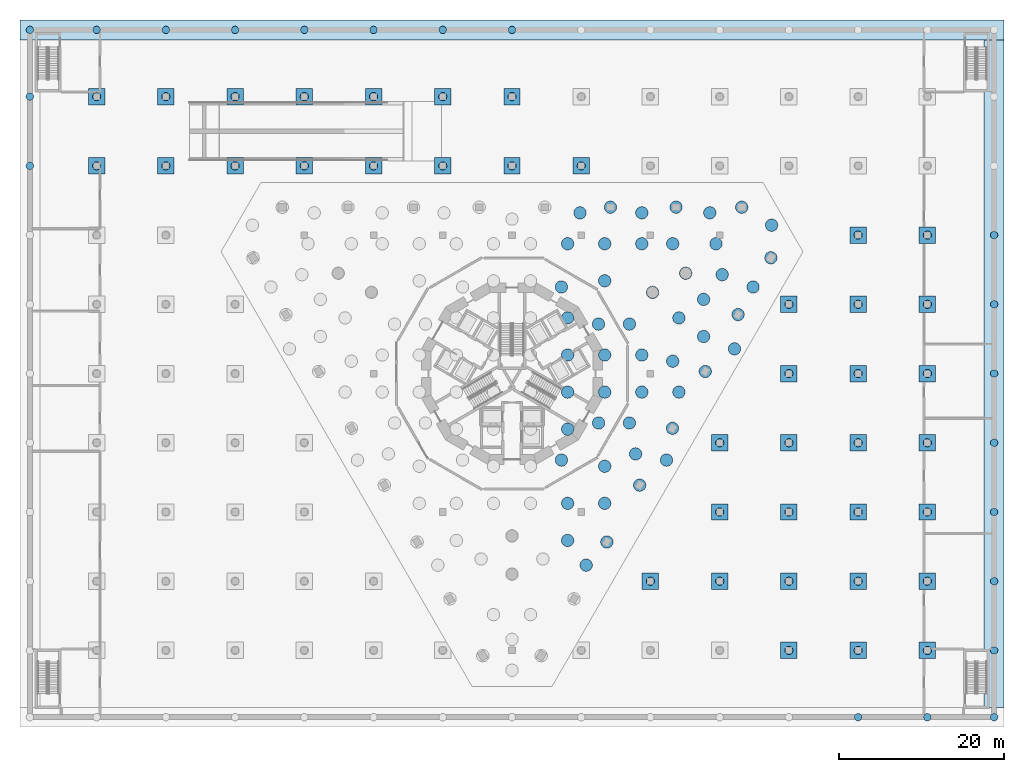
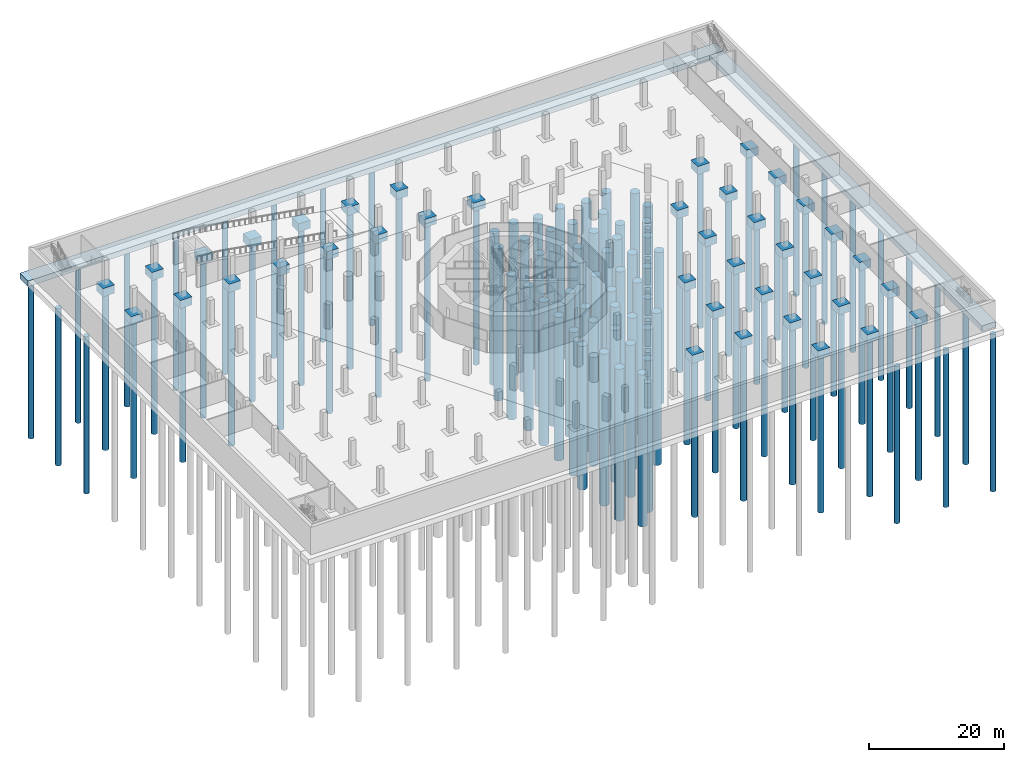
# One storey, part 2 of 23: 109 piles, 41 footings.
"""IFC4 building model written with IfcOpenShell, lengths in metres."""

from ifc_helpers import new_model, si_unit, direction, frame, origin, origin_2d, place, context, subcontext, project, spatial, polyline, circle, outline, extrude, material, layer, layer_set, type_object, element, save


model = new_model("IFC4")

# Units and contexts
model_context = context("Model", 3, precision=1e-05, world=origin(), true_north=direction((0.0, 1.0)))
body_context = subcontext(model_context, "Body", "Model", "MODEL_VIEW")
ifc_project = project(units=[si_unit("LENGTHUNIT", "METRE"), si_unit("AREAUNIT", "SQUARE_METRE"), si_unit("VOLUMEUNIT", "CUBIC_METRE"), si_unit("PLANEANGLEUNIT", "RADIAN"), si_unit("MASSUNIT", "GRAM", prefix="KILO")], contexts=[model_context])

# Site, building, storey
site_placement = place(None, origin())
site = spatial("IfcSite", under=ifc_project, at=site_placement, CompositionType="ELEMENT")
building_placement = place(site_placement, origin())
building = spatial("IfcBuilding", under=site, at=building_placement, Name="Trine Commons Tower", CompositionType="ELEMENT")
storey_placement = place(building_placement, frame((0.0, 0.0, -9.0)))
storey = spatial("IfcBuildingStorey", under=building, at=storey_placement, Name="B2", CompositionType="ELEMENT", Elevation=-9.0)

# Piles
ifc_material_1 = material(Name="Concrete C40/50", Category="concrete")
pile_type_1 = type_object("IfcPileType", Name="Bored pile 1000 mm, C40/50", PredefinedType="BORED", material=ifc_material_1)
for number, where, z_axis, x_axis, name in (
    (1, (113.60009765625, 28.89990234375, -1.425048828125), (0.0, 0.0, -1.0), (1.0, 0.0, 0.0), "Pile 141"),
    (2, (122.0, 28.89990234375, -1.425048828125), (0.0, 0.0, -1.0), (1.0, 0.0, 0.0), "Pile 142"),
    (3, (130.39990234375, 28.89990234375, -1.425048828125), (0.0, 0.0, -1.0), (1.0, 0.0, 0.0), "Pile 143"),
    (4, (96.800048828125, 37.300048828125, -1.425048828125), (0.0, 0.0, -1.0), (1.0, 0.0, 0.0), "Pile 149"),
    (5, (105.199951171875, 37.300048828125, -1.425048828125), (0.0, 0.0, -1.0), (1.0, 0.0, 0.0), "Pile 150"),
    (6, (113.60009765625, 37.300048828125, -1.425048828125), (0.0, 0.0, -1.0), (1.0, 0.0, 0.0), "Pile 151"),
    (7, (122.0, 37.300048828125, -1.425048828125), (0.0, 0.0, -1.0), (1.0, 0.0, 0.0), "Pile 152"),
    (8, (130.39990234375, 37.300048828125, -1.425048828125), (0.0, 0.0, -1.0), (1.0, 0.0, 0.0), "Pile 153"),
    (9, (105.199951171875, 45.699951171875, -1.425048828125), (0.0, 0.0, -1.0), (1.0, 0.0, 0.0), "Pile 158"),
    (10, (113.60009765625, 45.699951171875, -1.425048828125), (0.0, 0.0, -1.0), (1.0, 0.0, 0.0), "Pile 159"),
    (11, (122.0, 45.699951171875, -1.425048828125), (0.0, 0.0, -1.0), (1.0, 0.0, 0.0), "Pile 160"),
    (12, (130.39990234375, 45.699951171875, -1.425048828125), (0.0, 0.0, -1.0), (1.0, 0.0, 0.0), "Pile 161"),
    (13, (105.199951171875, 54.10009765625, -1.425048828125), (0.0, 0.0, -1.0), (1.0, 0.0, 0.0), "Pile 166"),
    (14, (113.60009765625, 54.10009765625, -1.425048828125), (0.0, 0.0, -1.0), (1.0, 0.0, 0.0), "Pile 167"),
    (15, (122.0, 54.10009765625, -1.425048828125), (0.0, 0.0, -1.0), (1.0, 0.0, 0.0), "Pile 168"),
    (16, (130.39990234375, 54.10009765625, -1.425048828125), (0.0, 0.0, -1.0), (1.0, 0.0, 0.0), "Pile 169"),
    (17, (113.60009765625, 62.5, -1.425048828125), (0.0, 0.0, -1.0), (1.0, 0.0, 0.0), "Pile 173"),
    (18, (122.0, 62.5, -1.425048828125), (0.0, 0.0, -1.0), (1.0, 0.0, 0.0), "Pile 174"),
    (19, (130.39990234375, 62.5, -1.425048828125), (0.0, 0.0, -1.0), (1.0, 0.0, 0.0), "Pile 175"),
    (20, (113.60009765625, 70.89990234375, -1.425048828125), (0.0, 0.0, -1.0), (1.0, 0.0, 0.0), "Pile 179"),
    (21, (122.0, 70.89990234375, -1.425048828125), (0.0, 0.0, -1.0), (1.0, 0.0, 0.0), "Pile 180"),
    (22, (130.39990234375, 70.89990234375, -1.425048828125), (0.0, 0.0, -1.0), (1.0, 0.0, 0.0), "Pile 181"),
    (23, (122.0, 79.300048828125, -1.425048828125), (0.0, 0.0, -1.0), (1.0, 0.0, 0.0), "Pile 184"),
    (24, (130.39990234375, 79.300048828125, -1.425048828125), (0.0, 0.0, -1.0), (1.0, 0.0, 0.0), "Pile 185"),
    (25, (29.60009765625, 87.699951171875, -1.425048828125), (0.0, 0.0, -1.0), (1.0, 0.0, 0.0), "Pile 186"),
    (26, (38.0, 87.699951171875, -1.425048828125), (0.0, 0.0, -1.0), (1.0, 0.0, 0.0), "Pile 187"),
    (27, (46.39990234375, 87.699951171875, -1.425048828125), (0.0, 0.0, -1.0), (1.0, 0.0, 0.0), "Pile 188"),
    (28, (54.800048828125, 87.699951171875, -1.425048828125), (0.0, 0.0, -1.0), (1.0, 0.0, 0.0), "Pile 189"),
    (29, (63.199951171875, 87.699951171875, -1.425048828125), (0.0, 0.0, -1.0), (1.0, 0.0, 0.0), "Pile 190"),
    (30, (71.60009765625, 87.699951171875, -1.425048828125), (0.0, 0.0, -1.0), (1.0, 0.0, 0.0), "Pile 191"),
    (31, (80.0, 87.699951171875, -1.425048828125), (0.0, 0.0, -1.0), (1.0, 0.0, 0.0), "Pile 192"),
    (32, (88.39990234375, 87.699951171875, -1.425048828125), (0.0, 0.0, -1.0), (1.0, 0.0, 0.0), "Pile 193"),
    (33, (29.60009765625, 96.10009765625, -1.425048828125), (0.0, 0.0, -1.0), (1.0, 0.0, 0.0), "Pile 199"),
    (34, (38.0, 96.10009765625, -1.425048828125), (0.0, 0.0, -1.0), (1.0, 0.0, 0.0), "Pile 200"),
    (35, (46.39990234375, 96.10009765625, -1.425048828125), (0.0, 0.0, -1.0), (1.0, 0.0, 0.0), "Pile 201"),
    (36, (54.800048828125, 96.10009765625, -1.425048828125), (0.0, 0.0, -1.0), (1.0, 0.0, 0.0), "Pile 202"),
    (37, (63.199951171875, 96.10009765625, -1.425048828125), (0.0, 0.0, -1.0), (1.0, 0.0, 0.0), "Pile 203"),
    (38, (71.60009765625, 96.10009765625, -1.425048828125), (0.0, 0.0, -1.0), (1.0, 0.0, 0.0), "Pile 204"),
    (39, (80.0, 96.10009765625, -1.425048828125), (0.0, 0.0, -1.0), (1.0, 0.0, 0.0), "Pile 205"),
):
    element("IfcPile", number, at=place(storey_placement, frame(where, z_axis=z_axis, x_axis=x_axis)), inside=storey, type_object=pile_type_1, Name=name, PredefinedType="BORED", context=body_context, shape_type="SweptSolid", body=[
        extrude(circle(Radius=0.5, at=origin_2d()), origin(), (0.0, 0.0, 1.0), 28.574951171875),
    ])
pile_type_2 = type_object("IfcPileType", Name="Bored pile 1500 mm, C40/50", PredefinedType="BORED", material=ifc_material_1)
for number, where, z_axis, x_axis, name in (
    (40, (86.0, 52.0, -3.925048828125), (0.0, 0.0, -1.0), (1.0, 0.0, 0.0), "Pile 004"),
    (41, (86.75, 55.75, -3.925048828125), (0.0, 0.0, -1.0), (1.0, 0.0, 0.0), "Pile 008"),
    (42, (90.5, 56.5, -3.925048828125), (0.0, 0.0, -1.0), (1.0, 0.0, 0.0), "Pile 010"),
    (43, (86.75, 60.25, -3.925048828125), (0.0, 0.0, -1.0), (1.0, 0.0, 0.0), "Pile 015"),
    (44, (91.25, 60.25, -3.925048828125), (0.0, 0.0, -1.0), (1.0, 0.0, 0.0), "Pile 016"),
    (45, (86.75, 64.75, -3.925048828125), (0.0, 0.0, -1.0), (1.0, 0.0, 0.0), "Pile 021"),
    (46, (91.25, 64.75, -3.925048828125), (0.0, 0.0, -1.0), (1.0, 0.0, 0.0), "Pile 022"),
    (47, (90.5, 68.5, -3.925048828125), (0.0, 0.0, -1.0), (1.0, 0.0, 0.0), "Pile 024"),
    (48, (86.75, 69.25, -3.925048828125), (0.0, 0.0, -1.0), (1.0, 0.0, 0.0), "Pile 028"),
    (49, (86.0, 73.0, -3.925048828125), (0.0, 0.0, -1.0), (1.0, 0.0, 0.0), "Pile 030"),
):
    element("IfcPile", number, at=place(storey_placement, frame(where, z_axis=z_axis, x_axis=x_axis)), inside=storey, type_object=pile_type_2, Name=name, PredefinedType="BORED", context=body_context, shape_type="SweptSolid", body=[
        extrude(circle(Radius=0.75, at=origin_2d()), origin(), (0.0, 0.0, 1.0), 26.074951171875),
    ])
for number, where, z_axis, x_axis, name in (
    (50, (89.0, 39.25, -2.425048828125), (0.0, 0.0, -1.0), (1.0, 0.0, 0.0), "Pile 043"),
    (51, (91.5078125, 42.06298828125, -2.425048828125), (0.0, 0.0, -1.0), (1.0, 0.0, 0.0), "Pile 047"),
    (52, (86.75, 42.25, -2.425048828125), (0.0, 0.0, -1.0), (1.0, 0.0, 0.0), "Pile 049"),
    (53, (86.75, 46.75, -2.425048828125), (0.0, 0.0, -1.0), (1.0, 0.0, 0.0), "Pile 055"),
    (54, (91.25, 46.75, -2.425048828125), (0.0, 0.0, -1.0), (1.0, 0.0, 0.0), "Pile 056"),
    (55, (95.489501953125, 48.95947265625, -2.425048828125), (0.0, 0.0, -1.0), (1.0, 0.0, 0.0), "Pile 058"),
    (56, (91.25, 51.25, -2.425048828125), (0.0, 0.0, -1.0), (1.0, 0.0, 0.0), "Pile 060"),
    (57, (98.75, 52.0, -2.425048828125), (0.0, 0.0, -1.0), (1.0, 0.0, 0.0), "Pile 062"),
    (58, (95.0, 52.75, -2.425048828125), (0.0, 0.0, -1.0), (1.0, 0.0, 0.0), "Pile 064"),
    (59, (99.47119140625, 55.85595703125, -2.425048828125), (0.0, 0.0, -1.0), (1.0, 0.0, 0.0), "Pile 066"),
    (60, (94.25, 56.5, -2.425048828125), (0.0, 0.0, -1.0), (1.0, 0.0, 0.0), "Pile 068"),
    (61, (95.75, 60.25, -2.425048828125), (0.0, 0.0, -1.0), (1.0, 0.0, 0.0), "Pile 071"),
    (62, (100.25, 60.25, -2.425048828125), (0.0, 0.0, -1.0), (1.0, 0.0, 0.0), "Pile 072"),
    (63, (103.452880859375, 62.75244140625, -2.425048828125), (0.0, 0.0, -1.0), (1.0, 0.0, 0.0), "Pile 074"),
    (64, (99.5, 64.0, -2.425048828125), (0.0, 0.0, -1.0), (1.0, 0.0, 0.0), "Pile 076"),
    (65, (95.75, 64.75, -2.425048828125), (0.0, 0.0, -1.0), (1.0, 0.0, 0.0), "Pile 078"),
    (66, (107.0, 65.5, -2.425048828125), (0.0, 0.0, -1.0), (1.0, 0.0, 0.0), "Pile 080"),
    (67, (103.25, 67.0, -2.425048828125), (0.0, 0.0, -1.0), (1.0, 0.0, 0.0), "Pile 082"),
    (68, (94.25, 68.5, -2.425048828125), (0.0, 0.0, -1.0), (1.0, 0.0, 0.0), "Pile 084"),
    (69, (100.25, 69.25, -2.425048828125), (0.0, 0.0, -1.0), (1.0, 0.0, 0.0), "Pile 086"),
    (70, (107.4345703125, 69.64892578125, -2.425048828125), (0.0, 0.0, -1.0), (1.0, 0.0, 0.0), "Pile 088"),
    (71, (103.25, 71.5, -2.425048828125), (0.0, 0.0, -1.0), (1.0, 0.0, 0.0), "Pile 090"),
    (72, (97.05810546875, 72.348388671875, -2.425048828125), (0.0, 0.0, -1.0), (1.0, 0.0, 0.0), "Pile 092"),
    (73, (109.25, 73.0, -2.425048828125), (0.0, 0.0, -1.0), (1.0, 0.0, 0.0), "Pile 094"),
    (74, (91.25, 73.75, -2.425048828125), (0.0, 0.0, -1.0), (1.0, 0.0, 0.0), "Pile 096"),
    (75, (105.5, 74.5, -2.425048828125), (0.0, 0.0, -1.0), (1.0, 0.0, 0.0), "Pile 098"),
    (76, (101.0771484375, 74.6689453125, -2.425048828125), (0.0, 0.0, -1.0), (1.0, 0.0, 0.0), "Pile 100"),
    (77, (111.416259765625, 76.54541015625, -2.425048828125), (0.0, 0.0, -1.0), (1.0, 0.0, 0.0), "Pile 102"),
    (78, (86.75, 78.25, -2.425048828125), (0.0, 0.0, -1.0), (1.0, 0.0, 0.0), "Pile 110"),
    (79, (91.25, 78.25, -2.425048828125), (0.0, 0.0, -1.0), (1.0, 0.0, 0.0), "Pile 111"),
    (80, (95.75, 78.25, -2.425048828125), (0.0, 0.0, -1.0), (1.0, 0.0, 0.0), "Pile 112"),
    (81, (99.5, 78.25, -2.425048828125), (0.0, 0.0, -1.0), (1.0, 0.0, 0.0), "Pile 113"),
    (82, (104.75, 78.25, -2.425048828125), (0.0, 0.0, -1.0), (1.0, 0.0, 0.0), "Pile 114"),
    (83, (111.5, 80.5, -2.425048828125), (0.0, 0.0, -1.0), (1.0, 0.0, 0.0), "Pile 116"),
    (84, (88.25, 82.0, -2.425048828125), (0.0, 0.0, -1.0), (1.0, 0.0, 0.0), "Pile 121"),
    (85, (95.75, 82.0, -2.425048828125), (0.0, 0.0, -1.0), (1.0, 0.0, 0.0), "Pile 122"),
    (86, (104.0, 82.0, -2.425048828125), (0.0, 0.0, -1.0), (1.0, 0.0, 0.0), "Pile 123"),
    (87, (91.945068359375, 82.6845703125, -2.425048828125), (0.0, 0.0, -1.0), (1.0, 0.0, 0.0), "Pile 129"),
    (88, (99.908447265625, 82.6845703125, -2.425048828125), (0.0, 0.0, -1.0), (1.0, 0.0, 0.0), "Pile 130"),
    (89, (107.871826171875, 82.6845703125, -2.425048828125), (0.0, 0.0, -1.0), (1.0, 0.0, 0.0), "Pile 131"),
):
    element("IfcPile", number, at=place(storey_placement, frame(where, z_axis=z_axis, x_axis=x_axis)), inside=storey, type_object=pile_type_2, Name=name, PredefinedType="BORED", context=body_context, shape_type="SweptSolid", body=[
        extrude(circle(Radius=0.75, at=origin_2d()), origin(), (0.0, 0.0, 1.0), 27.574951171875),
    ])
pile_type_3 = type_object("IfcPileType", Name="Bored pile 900 mm, C40/50", PredefinedType="BORED", material=ifc_material_1)
for number, where, z_axis, x_axis, name in (
    (90, (122.0, 20.800048828125, -1.425048828125), (0.0, 0.0, -1.0), (1.0, 0.0, 0.0), "Pile 224"),
    (91, (130.39990234375, 20.800048828125, -1.425048828125), (0.0, 0.0, -1.0), (1.0, 0.0, 0.0), "Pile 225"),
    (92, (138.5, 20.800048828125, -1.425048828125), (0.0, 0.0, -1.0), (1.0, 0.0, 0.0), "Pile 226"),
    (93, (138.5, 28.89990234375, -1.425048828125), (0.0, 0.0, -1.0), (1.0, 0.0, 0.0), "Pile 228"),
    (94, (138.5, 37.300048828125, -1.425048828125), (0.0, 0.0, -1.0), (1.0, 0.0, 0.0), "Pile 230"),
    (95, (138.5, 45.699951171875, -1.425048828125), (0.0, 0.0, -1.0), (1.0, 0.0, 0.0), "Pile 232"),
    (96, (138.5, 54.10009765625, -1.425048828125), (0.0, 0.0, -1.0), (1.0, 0.0, 0.0), "Pile 234"),
    (97, (138.5, 62.5, -1.425048828125), (0.0, 0.0, -1.0), (1.0, 0.0, 0.0), "Pile 236"),
    (98, (138.5, 70.89990234375, -1.425048828125), (0.0, 0.0, -1.0), (1.0, 0.0, 0.0), "Pile 238"),
    (99, (138.5, 79.300048828125, -1.425048828125), (0.0, 0.0, -1.0), (1.0, 0.0, 0.0), "Pile 240"),
    (100, (21.5, 87.699951171875, -1.425048828125), (0.0, 0.0, -1.0), (1.0, 0.0, 0.0), "Pile 241"),
    (101, (21.5, 96.10009765625, -1.425048828125), (0.0, 0.0, -1.0), (1.0, 0.0, 0.0), "Pile 243"),
    (102, (21.5, 104.199951171875, -1.425048828125), (0.0, 0.0, -1.0), (1.0, 0.0, 0.0), "Pile 245"),
    (103, (29.60009765625, 104.199951171875, -1.425048828125), (0.0, 0.0, -1.0), (1.0, 0.0, 0.0), "Pile 246"),
    (104, (38.0, 104.199951171875, -1.425048828125), (0.0, 0.0, -1.0), (1.0, 0.0, 0.0), "Pile 247"),
    (105, (46.39990234375, 104.199951171875, -1.425048828125), (0.0, 0.0, -1.0), (1.0, 0.0, 0.0), "Pile 248"),
    (106, (54.800048828125, 104.199951171875, -1.425048828125), (0.0, 0.0, -1.0), (1.0, 0.0, 0.0), "Pile 249"),
    (107, (63.199951171875, 104.199951171875, -1.425048828125), (0.0, 0.0, -1.0), (1.0, 0.0, 0.0), "Pile 250"),
    (108, (71.60009765625, 104.199951171875, -1.425048828125), (0.0, 0.0, -1.0), (1.0, 0.0, 0.0), "Pile 251"),
    (109, (80.0, 104.199951171875, -1.425048828125), (0.0, 0.0, -1.0), (1.0, 0.0, 0.0), "Pile 252"),
):
    element("IfcPile", number, at=place(storey_placement, frame(where, z_axis=z_axis, x_axis=x_axis)), inside=storey, type_object=pile_type_3, Name=name, PredefinedType="BORED", context=body_context, shape_type="SweptSolid", body=[
        extrude(circle(Radius=0.449951171875, at=origin_2d()), origin(), (0.0, 0.0, 1.0), 28.574951171875),
    ])

# Footings
ifc_material_2 = material(Name="Concrete C50/60", Category="concrete")
ifc_layer_1 = layer(ifc_material_2, 1.5)
ifc_layer_set_1 = layer_set([ifc_layer_1], Name="Concrete C50/60")
footing_type_1 = type_object("IfcFootingType", Name="Pile cap 1500 mm, C50/60", PredefinedType="PILE_CAP", material=ifc_layer_set_1)
footing_1_placement = place(storey_placement, frame((0.0, 0.0, -1.5)))
element("IfcFooting", 110, at=footing_1_placement, inside=storey, type_object=footing_type_1, Name="Pile cap BC-11", PredefinedType="PILE_CAP", context=body_context, shape_type="SweptSolid", body=[
    extrude(outline(polyline([(112.60009765625, 27.89990234375), (112.60009765625, 29.89990234375), (114.60009765625, 29.89990234375), (114.60009765625, 27.89990234375), (112.60009765625, 27.89990234375)])), origin(), (0.0, 0.0, 1.0), 1.5),
])
footing_2_placement = place(storey_placement, frame((0.0, 0.0, -1.5)))
element("IfcFooting", 111, at=footing_2_placement, inside=storey, type_object=footing_type_1, Name="Pile cap BC-12", PredefinedType="PILE_CAP", context=body_context, shape_type="SweptSolid", body=[
    extrude(outline(polyline([(121.0, 27.89990234375), (121.0, 29.89990234375), (123.0, 29.89990234375), (123.0, 27.89990234375), (121.0, 27.89990234375)])), origin(), (0.0, 0.0, 1.0), 1.5),
])
footing_3_placement = place(storey_placement, frame((0.0, 0.0, -1.5)))
element("IfcFooting", 112, at=footing_3_placement, inside=storey, type_object=footing_type_1, Name="Pile cap BC-13", PredefinedType="PILE_CAP", context=body_context, shape_type="SweptSolid", body=[
    extrude(outline(polyline([(129.39990234375, 27.89990234375), (129.39990234375, 29.89990234375), (131.39990234375, 29.89990234375), (131.39990234375, 27.89990234375), (129.39990234375, 27.89990234375)])), origin(), (0.0, 0.0, 1.0), 1.5),
])
footing_4_placement = place(storey_placement, frame((0.0, 0.0, -1.5)))
element("IfcFooting", 113, at=footing_4_placement, inside=storey, type_object=footing_type_1, Name="Pile cap BC-19", PredefinedType="PILE_CAP", context=body_context, shape_type="SweptSolid", body=[
    extrude(outline(polyline([(95.800048828125, 36.300048828125), (95.800048828125, 38.300048828125), (97.800048828125, 38.300048828125), (97.800048828125, 36.300048828125), (95.800048828125, 36.300048828125)])), origin(), (0.0, 0.0, 1.0), 1.5),
])
footing_5_placement = place(storey_placement, frame((0.0, 0.0, -1.5)))
element("IfcFooting", 114, at=footing_5_placement, inside=storey, type_object=footing_type_1, Name="Pile cap BC-20", PredefinedType="PILE_CAP", context=body_context, shape_type="SweptSolid", body=[
    extrude(outline(polyline([(104.199951171875, 36.300048828125), (104.199951171875, 38.300048828125), (106.199951171875, 38.300048828125), (106.199951171875, 36.300048828125), (104.199951171875, 36.300048828125)])), origin(), (0.0, 0.0, 1.0), 1.5),
])
footing_6_placement = place(storey_placement, frame((0.0, 0.0, -1.5)))
element("IfcFooting", 115, at=footing_6_placement, inside=storey, type_object=footing_type_1, Name="Pile cap BC-21", PredefinedType="PILE_CAP", context=body_context, shape_type="SweptSolid", body=[
    extrude(outline(polyline([(112.60009765625, 36.300048828125), (112.60009765625, 38.300048828125), (114.60009765625, 38.300048828125), (114.60009765625, 36.300048828125), (112.60009765625, 36.300048828125)])), origin(), (0.0, 0.0, 1.0), 1.5),
])
footing_7_placement = place(storey_placement, frame((0.0, 0.0, -1.5)))
element("IfcFooting", 116, at=footing_7_placement, inside=storey, type_object=footing_type_1, Name="Pile cap BC-22", PredefinedType="PILE_CAP", context=body_context, shape_type="SweptSolid", body=[
    extrude(outline(polyline([(121.0, 36.300048828125), (121.0, 38.300048828125), (123.0, 38.300048828125), (123.0, 36.300048828125), (121.0, 36.300048828125)])), origin(), (0.0, 0.0, 1.0), 1.5),
])
footing_8_placement = place(storey_placement, frame((0.0, 0.0, -1.5)))
element("IfcFooting", 117, at=footing_8_placement, inside=storey, type_object=footing_type_1, Name="Pile cap BC-23", PredefinedType="PILE_CAP", context=body_context, shape_type="SweptSolid", body=[
    extrude(outline(polyline([(129.39990234375, 36.300048828125), (129.39990234375, 38.300048828125), (131.39990234375, 38.300048828125), (131.39990234375, 36.300048828125), (129.39990234375, 36.300048828125)])), origin(), (0.0, 0.0, 1.0), 1.5),
])
footing_9_placement = place(storey_placement, frame((0.0, 0.0, -1.5)))
element("IfcFooting", 118, at=footing_9_placement, inside=storey, type_object=footing_type_1, Name="Pile cap BC-30", PredefinedType="PILE_CAP", context=body_context, shape_type="SweptSolid", body=[
    extrude(outline(polyline([(104.199951171875, 44.699951171875), (104.199951171875, 46.699951171875), (106.199951171875, 46.699951171875), (106.199951171875, 44.699951171875), (104.199951171875, 44.699951171875)])), origin(), (0.0, 0.0, 1.0), 1.5),
])
footing_10_placement = place(storey_placement, frame((0.0, 0.0, -1.5)))
element("IfcFooting", 119, at=footing_10_placement, inside=storey, type_object=footing_type_1, Name="Pile cap BC-31", PredefinedType="PILE_CAP", context=body_context, shape_type="SweptSolid", body=[
    extrude(outline(polyline([(112.60009765625, 44.699951171875), (112.60009765625, 46.699951171875), (114.60009765625, 46.699951171875), (114.60009765625, 44.699951171875), (112.60009765625, 44.699951171875)])), origin(), (0.0, 0.0, 1.0), 1.5),
])
footing_11_placement = place(storey_placement, frame((0.0, 0.0, -1.5)))
element("IfcFooting", 120, at=footing_11_placement, inside=storey, type_object=footing_type_1, Name="Pile cap BC-32", PredefinedType="PILE_CAP", context=body_context, shape_type="SweptSolid", body=[
    extrude(outline(polyline([(121.0, 44.699951171875), (121.0, 46.699951171875), (123.0, 46.699951171875), (123.0, 44.699951171875), (121.0, 44.699951171875)])), origin(), (0.0, 0.0, 1.0), 1.5),
])
footing_12_placement = place(storey_placement, frame((0.0, 0.0, -1.5)))
element("IfcFooting", 121, at=footing_12_placement, inside=storey, type_object=footing_type_1, Name="Pile cap BC-33", PredefinedType="PILE_CAP", context=body_context, shape_type="SweptSolid", body=[
    extrude(outline(polyline([(129.39990234375, 44.699951171875), (129.39990234375, 46.699951171875), (131.39990234375, 46.699951171875), (131.39990234375, 44.699951171875), (129.39990234375, 44.699951171875)])), origin(), (0.0, 0.0, 1.0), 1.5),
])
footing_13_placement = place(storey_placement, frame((0.0, 0.0, -1.5)))
element("IfcFooting", 122, at=footing_13_placement, inside=storey, type_object=footing_type_1, Name="Pile cap BC-38", PredefinedType="PILE_CAP", context=body_context, shape_type="SweptSolid", body=[
    extrude(outline(polyline([(104.199951171875, 53.10009765625), (104.199951171875, 55.10009765625), (106.199951171875, 55.10009765625), (106.199951171875, 53.10009765625), (104.199951171875, 53.10009765625)])), origin(), (0.0, 0.0, 1.0), 1.5),
])
footing_14_placement = place(storey_placement, frame((0.0, 0.0, -1.5)))
element("IfcFooting", 123, at=footing_14_placement, inside=storey, type_object=footing_type_1, Name="Pile cap BC-39", PredefinedType="PILE_CAP", context=body_context, shape_type="SweptSolid", body=[
    extrude(outline(polyline([(112.60009765625, 53.10009765625), (112.60009765625, 55.10009765625), (114.60009765625, 55.10009765625), (114.60009765625, 53.10009765625), (112.60009765625, 53.10009765625)])), origin(), (0.0, 0.0, 1.0), 1.5),
])
footing_15_placement = place(storey_placement, frame((0.0, 0.0, -1.5)))
element("IfcFooting", 124, at=footing_15_placement, inside=storey, type_object=footing_type_1, Name="Pile cap BC-40", PredefinedType="PILE_CAP", context=body_context, shape_type="SweptSolid", body=[
    extrude(outline(polyline([(121.0, 53.10009765625), (121.0, 55.10009765625), (123.0, 55.10009765625), (123.0, 53.10009765625), (121.0, 53.10009765625)])), origin(), (0.0, 0.0, 1.0), 1.5),
])
footing_16_placement = place(storey_placement, frame((0.0, 0.0, -1.5)))
element("IfcFooting", 125, at=footing_16_placement, inside=storey, type_object=footing_type_1, Name="Pile cap BC-41", PredefinedType="PILE_CAP", context=body_context, shape_type="SweptSolid", body=[
    extrude(outline(polyline([(129.39990234375, 53.10009765625), (129.39990234375, 55.10009765625), (131.39990234375, 55.10009765625), (131.39990234375, 53.10009765625), (129.39990234375, 53.10009765625)])), origin(), (0.0, 0.0, 1.0), 1.5),
])
footing_17_placement = place(storey_placement, frame((0.0, 0.0, -1.5)))
element("IfcFooting", 126, at=footing_17_placement, inside=storey, type_object=footing_type_1, Name="Pile cap BC-47", PredefinedType="PILE_CAP", context=body_context, shape_type="SweptSolid", body=[
    extrude(outline(polyline([(112.60009765625, 61.5), (112.60009765625, 63.5), (114.60009765625, 63.5), (114.60009765625, 61.5), (112.60009765625, 61.5)])), origin(), (0.0, 0.0, 1.0), 1.5),
])
footing_18_placement = place(storey_placement, frame((0.0, 0.0, -1.5)))
element("IfcFooting", 127, at=footing_18_placement, inside=storey, type_object=footing_type_1, Name="Pile cap BC-48", PredefinedType="PILE_CAP", context=body_context, shape_type="SweptSolid", body=[
    extrude(outline(polyline([(121.0, 61.5), (121.0, 63.5), (123.0, 63.5), (123.0, 61.5), (121.0, 61.5)])), origin(), (0.0, 0.0, 1.0), 1.5),
])
footing_19_placement = place(storey_placement, frame((0.0, 0.0, -1.5)))
element("IfcFooting", 128, at=footing_19_placement, inside=storey, type_object=footing_type_1, Name="Pile cap BC-49", PredefinedType="PILE_CAP", context=body_context, shape_type="SweptSolid", body=[
    extrude(outline(polyline([(129.39990234375, 61.5), (129.39990234375, 63.5), (131.39990234375, 63.5), (131.39990234375, 61.5), (129.39990234375, 61.5)])), origin(), (0.0, 0.0, 1.0), 1.5),
])
footing_20_placement = place(storey_placement, frame((0.0, 0.0, -1.5)))
element("IfcFooting", 129, at=footing_20_placement, inside=storey, type_object=footing_type_1, Name="Pile cap BC-53", PredefinedType="PILE_CAP", context=body_context, shape_type="SweptSolid", body=[
    extrude(outline(polyline([(112.60009765625, 69.89990234375), (112.60009765625, 71.89990234375), (114.60009765625, 71.89990234375), (114.60009765625, 69.89990234375), (112.60009765625, 69.89990234375)])), origin(), (0.0, 0.0, 1.0), 1.5),
])
footing_21_placement = place(storey_placement, frame((0.0, 0.0, -1.5)))
element("IfcFooting", 130, at=footing_21_placement, inside=storey, type_object=footing_type_1, Name="Pile cap BC-54", PredefinedType="PILE_CAP", context=body_context, shape_type="SweptSolid", body=[
    extrude(outline(polyline([(121.0, 69.89990234375), (121.0, 71.89990234375), (123.0, 71.89990234375), (123.0, 69.89990234375), (121.0, 69.89990234375)])), origin(), (0.0, 0.0, 1.0), 1.5),
])
footing_22_placement = place(storey_placement, frame((0.0, 0.0, -1.5)))
element("IfcFooting", 131, at=footing_22_placement, inside=storey, type_object=footing_type_1, Name="Pile cap BC-55", PredefinedType="PILE_CAP", context=body_context, shape_type="SweptSolid", body=[
    extrude(outline(polyline([(129.39990234375, 69.89990234375), (129.39990234375, 71.89990234375), (131.39990234375, 71.89990234375), (131.39990234375, 69.89990234375), (129.39990234375, 69.89990234375)])), origin(), (0.0, 0.0, 1.0), 1.5),
])
footing_23_placement = place(storey_placement, frame((0.0, 0.0, -1.5)))
element("IfcFooting", 132, at=footing_23_placement, inside=storey, type_object=footing_type_1, Name="Pile cap BC-65", PredefinedType="PILE_CAP", context=body_context, shape_type="SweptSolid", body=[
    extrude(outline(polyline([(121.0, 78.300048828125), (121.0, 80.300048828125), (123.0, 80.300048828125), (123.0, 78.300048828125), (121.0, 78.300048828125)])), origin(), (0.0, 0.0, 1.0), 1.5),
])
footing_24_placement = place(storey_placement, frame((0.0, 0.0, -1.5)))
element("IfcFooting", 133, at=footing_24_placement, inside=storey, type_object=footing_type_1, Name="Pile cap BC-66", PredefinedType="PILE_CAP", context=body_context, shape_type="SweptSolid", body=[
    extrude(outline(polyline([(129.39990234375, 78.300048828125), (129.39990234375, 80.300048828125), (131.39990234375, 80.300048828125), (131.39990234375, 78.300048828125), (129.39990234375, 78.300048828125)])), origin(), (0.0, 0.0, 1.0), 1.5),
])
footing_25_placement = place(storey_placement, frame((0.0, 0.0, -1.5)))
element("IfcFooting", 134, at=footing_25_placement, inside=storey, type_object=footing_type_1, Name="Pile cap BC-67", PredefinedType="PILE_CAP", context=body_context, shape_type="SweptSolid", body=[
    extrude(outline(polyline([(28.60009765625, 86.699951171875), (28.60009765625, 88.699951171875), (30.60009765625, 88.699951171875), (30.60009765625, 86.699951171875), (28.60009765625, 86.699951171875)])), origin(), (0.0, 0.0, 1.0), 1.5),
])
footing_26_placement = place(storey_placement, frame((0.0, 0.0, -1.5)))
element("IfcFooting", 135, at=footing_26_placement, inside=storey, type_object=footing_type_1, Name="Pile cap BC-68", PredefinedType="PILE_CAP", context=body_context, shape_type="SweptSolid", body=[
    extrude(outline(polyline([(37.0, 86.699951171875), (37.0, 88.699951171875), (39.0, 88.699951171875), (39.0, 86.699951171875), (37.0, 86.699951171875)])), origin(), (0.0, 0.0, 1.0), 1.5),
])
footing_27_placement = place(storey_placement, frame((0.0, 0.0, -1.5)))
element("IfcFooting", 136, at=footing_27_placement, inside=storey, type_object=footing_type_1, Name="Pile cap BC-69", PredefinedType="PILE_CAP", context=body_context, shape_type="SweptSolid", body=[
    extrude(outline(polyline([(45.39990234375, 86.699951171875), (45.39990234375, 88.699951171875), (47.39990234375, 88.699951171875), (47.39990234375, 86.699951171875), (45.39990234375, 86.699951171875)])), origin(), (0.0, 0.0, 1.0), 1.5),
])
footing_28_placement = place(storey_placement, frame((0.0, 0.0, -1.5)))
element("IfcFooting", 137, at=footing_28_placement, inside=storey, type_object=footing_type_1, Name="Pile cap BC-70", PredefinedType="PILE_CAP", context=body_context, shape_type="SweptSolid", body=[
    extrude(outline(polyline([(53.800048828125, 86.699951171875), (53.800048828125, 88.699951171875), (55.800048828125, 88.699951171875), (55.800048828125, 86.699951171875), (53.800048828125, 86.699951171875)])), origin(), (0.0, 0.0, 1.0), 1.5),
])
footing_29_placement = place(storey_placement, frame((0.0, 0.0, -1.5)))
element("IfcFooting", 138, at=footing_29_placement, inside=storey, type_object=footing_type_1, Name="Pile cap BC-71", PredefinedType="PILE_CAP", context=body_context, shape_type="SweptSolid", body=[
    extrude(outline(polyline([(62.199951171875, 86.699951171875), (62.199951171875, 88.699951171875), (64.199951171875, 88.699951171875), (64.199951171875, 86.699951171875), (62.199951171875, 86.699951171875)])), origin(), (0.0, 0.0, 1.0), 1.5),
])
footing_30_placement = place(storey_placement, frame((0.0, 0.0, -1.5)))
element("IfcFooting", 139, at=footing_30_placement, inside=storey, type_object=footing_type_1, Name="Pile cap BC-72", PredefinedType="PILE_CAP", context=body_context, shape_type="SweptSolid", body=[
    extrude(outline(polyline([(70.60009765625, 86.699951171875), (70.60009765625, 88.699951171875), (72.60009765625, 88.699951171875), (72.60009765625, 86.699951171875), (70.60009765625, 86.699951171875)])), origin(), (0.0, 0.0, 1.0), 1.5),
])
footing_31_placement = place(storey_placement, frame((0.0, 0.0, -1.5)))
element("IfcFooting", 140, at=footing_31_placement, inside=storey, type_object=footing_type_1, Name="Pile cap BC-73", PredefinedType="PILE_CAP", context=body_context, shape_type="SweptSolid", body=[
    extrude(outline(polyline([(79.0, 86.699951171875), (79.0, 88.699951171875), (81.0, 88.699951171875), (81.0, 86.699951171875), (79.0, 86.699951171875)])), origin(), (0.0, 0.0, 1.0), 1.5),
])
footing_32_placement = place(storey_placement, frame((0.0, 0.0, -1.5)))
element("IfcFooting", 141, at=footing_32_placement, inside=storey, type_object=footing_type_1, Name="Pile cap BC-74", PredefinedType="PILE_CAP", context=body_context, shape_type="SweptSolid", body=[
    extrude(outline(polyline([(87.39990234375, 86.699951171875), (87.39990234375, 88.699951171875), (89.39990234375, 88.699951171875), (89.39990234375, 86.699951171875), (87.39990234375, 86.699951171875)])), origin(), (0.0, 0.0, 1.0), 1.5),
])
footing_33_placement = place(storey_placement, frame((0.0, 0.0, -1.5)))
element("IfcFooting", 142, at=footing_33_placement, inside=storey, type_object=footing_type_1, Name="Pile cap BC-80", PredefinedType="PILE_CAP", context=body_context, shape_type="SweptSolid", body=[
    extrude(outline(polyline([(28.60009765625, 95.10009765625), (28.60009765625, 97.10009765625), (30.60009765625, 97.10009765625), (30.60009765625, 95.10009765625), (28.60009765625, 95.10009765625)])), origin(), (0.0, 0.0, 1.0), 1.5),
])
footing_34_placement = place(storey_placement, frame((0.0, 0.0, -1.5)))
element("IfcFooting", 143, at=footing_34_placement, inside=storey, type_object=footing_type_1, Name="Pile cap BC-81", PredefinedType="PILE_CAP", context=body_context, shape_type="SweptSolid", body=[
    extrude(outline(polyline([(37.0, 95.10009765625), (37.0, 97.10009765625), (39.0, 97.10009765625), (39.0, 95.10009765625), (37.0, 95.10009765625)])), origin(), (0.0, 0.0, 1.0), 1.5),
])
footing_35_placement = place(storey_placement, frame((0.0, 0.0, -1.5)))
element("IfcFooting", 144, at=footing_35_placement, inside=storey, type_object=footing_type_1, Name="Pile cap BC-82", PredefinedType="PILE_CAP", context=body_context, shape_type="SweptSolid", body=[
    extrude(outline(polyline([(45.39990234375, 95.10009765625), (45.39990234375, 97.10009765625), (47.39990234375, 97.10009765625), (47.39990234375, 95.10009765625), (45.39990234375, 95.10009765625)])), origin(), (0.0, 0.0, 1.0), 1.5),
])
footing_36_placement = place(storey_placement, frame((0.0, 0.0, -1.5)))
element("IfcFooting", 145, at=footing_36_placement, inside=storey, type_object=footing_type_1, Name="Pile cap BC-83", PredefinedType="PILE_CAP", context=body_context, shape_type="SweptSolid", body=[
    extrude(outline(polyline([(53.800048828125, 95.10009765625), (53.800048828125, 97.10009765625), (55.800048828125, 97.10009765625), (55.800048828125, 95.10009765625), (53.800048828125, 95.10009765625)])), origin(), (0.0, 0.0, 1.0), 1.5),
])
footing_37_placement = place(storey_placement, frame((0.0, 0.0, -1.5)))
element("IfcFooting", 146, at=footing_37_placement, inside=storey, type_object=footing_type_1, Name="Pile cap BC-84", PredefinedType="PILE_CAP", context=body_context, shape_type="SweptSolid", body=[
    extrude(outline(polyline([(62.199951171875, 95.10009765625), (62.199951171875, 97.10009765625), (64.199951171875, 97.10009765625), (64.199951171875, 95.10009765625), (62.199951171875, 95.10009765625)])), origin(), (0.0, 0.0, 1.0), 1.5),
])
footing_38_placement = place(storey_placement, frame((0.0, 0.0, -1.5)))
element("IfcFooting", 147, at=footing_38_placement, inside=storey, type_object=footing_type_1, Name="Pile cap BC-85", PredefinedType="PILE_CAP", context=body_context, shape_type="SweptSolid", body=[
    extrude(outline(polyline([(70.60009765625, 95.10009765625), (70.60009765625, 97.10009765625), (72.60009765625, 97.10009765625), (72.60009765625, 95.10009765625), (70.60009765625, 95.10009765625)])), origin(), (0.0, 0.0, 1.0), 1.5),
])
footing_39_placement = place(storey_placement, frame((0.0, 0.0, -1.5)))
element("IfcFooting", 148, at=footing_39_placement, inside=storey, type_object=footing_type_1, Name="Pile cap BC-86", PredefinedType="PILE_CAP", context=body_context, shape_type="SweptSolid", body=[
    extrude(outline(polyline([(79.0, 95.10009765625), (79.0, 97.10009765625), (81.0, 97.10009765625), (81.0, 95.10009765625), (79.0, 95.10009765625)])), origin(), (0.0, 0.0, 1.0), 1.5),
])
ifc_layer_2 = layer(ifc_material_1, 1.0)
ifc_layer_set_2 = layer_set([ifc_layer_2], Name="Concrete C40/50")
footing_type_2 = type_object("IfcFootingType", Name="Strip footing 1000 mm, C40/50", PredefinedType="STRIP_FOOTING", material=ifc_layer_set_2)
footing_40_placement = place(storey_placement, frame((0.0, 0.0, -1.5)))
element("IfcFooting", 149, at=footing_40_placement, inside=storey, type_object=footing_type_2, Name="Strip footing N", PredefinedType="STRIP_FOOTING", context=body_context, shape_type="SweptSolid", body=[
    extrude(outline(polyline([(139.699951171875, 103.0), (139.699951171875, 105.39990234375), (20.300048828125, 105.39990234375), (20.300048828125, 103.0), (139.699951171875, 103.0)])), origin(), (0.0, 0.0, 1.0), 1.0),
])
footing_41_placement = place(storey_placement, frame((0.0, 0.0, -1.5)))
element("IfcFooting", 150, at=footing_41_placement, inside=storey, type_object=footing_type_2, Name="Strip footing E", PredefinedType="STRIP_FOOTING", context=body_context, shape_type="SweptSolid", body=[
    extrude(outline(polyline([(139.699951171875, 22.0), (139.699951171875, 103.0), (137.300048828125, 103.0), (137.300048828125, 22.0), (139.699951171875, 22.0)])), origin(), (0.0, 0.0, 1.0), 1.0),
])

save(model, "model.ifc")
